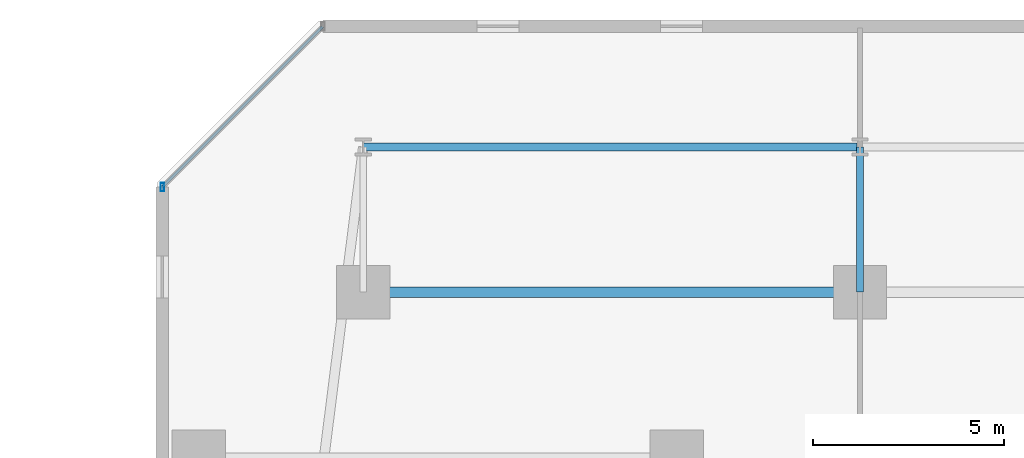
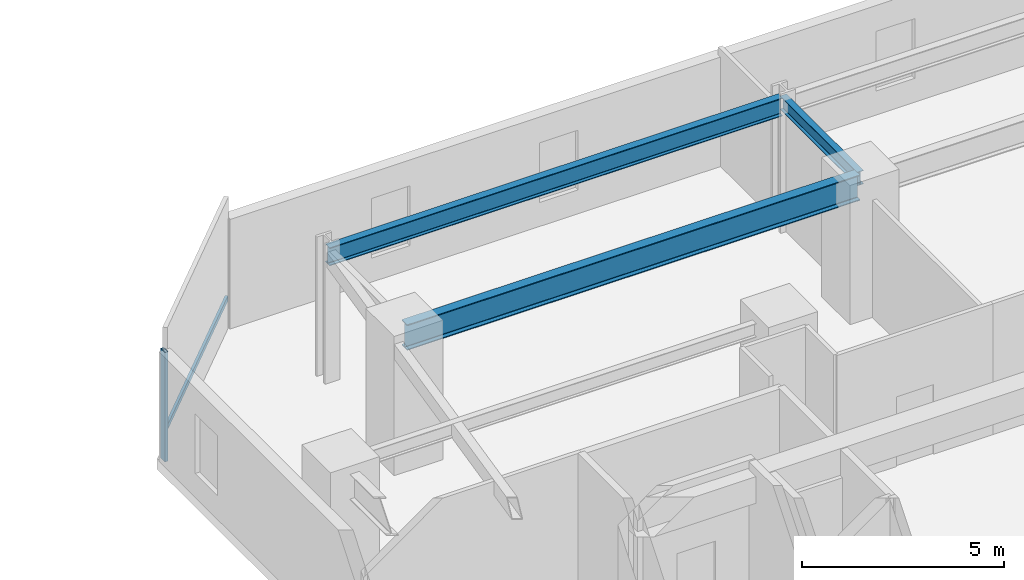
# One storey, part 14 of 33: 3 beams, 2 members, 1 element without a shape of its own.
"""IFC4 building model written with IfcOpenShell, lengths in metres."""

from ifc_helpers import new_model, si_unit, direction, frame, origin, origin_2d, place, context, subcontext, project, spatial, hollow_rectangle, i_section, extrude, material, material_profile, profile_set, type_object, element, aggregate, save


model = new_model("IFC4")

# Units and contexts
model_context = context("Model", 3, precision=1e-05, world=origin(), true_north=direction((0.0, 1.0)))
body_context = subcontext(model_context, "Body", "Model", "MODEL_VIEW")
ifc_project = project(units=[si_unit("LENGTHUNIT", "METRE"), si_unit("AREAUNIT", "SQUARE_METRE"), si_unit("VOLUMEUNIT", "CUBIC_METRE"), si_unit("PLANEANGLEUNIT", "RADIAN"), si_unit("MASSUNIT", "GRAM", prefix="KILO")], contexts=[model_context])

# Site, building, storey
site_placement = place(None, origin())
site = spatial("IfcSite", under=ifc_project, at=site_placement, CompositionType="ELEMENT")
building_placement = place(site_placement, origin())
building = spatial("IfcBuilding", under=site, at=building_placement, Name="Thornwick Lancets Civic Towers", CompositionType="ELEMENT")
storey_placement = place(building_placement, frame((0.0, 0.0, 49.5)))
storey = spatial("IfcBuildingStorey", under=building, at=storey_placement, Name="L12", CompositionType="ELEMENT", Elevation=49.5)

# Beams
ifc_material_1 = material(Name="Steel S355JR", Category="steel")
ifc_material_profile_1 = material_profile(ifc_material_1, i_section(OverallWidth=0.2119140625, OverallDepth=0.54443359375, WebThickness=0.0126953125, FlangeThickness=0.021240234375, FilletRadius=0.0126953125, at=origin_2d()), Name="UKB 533x210x122")
ifc_profile_set_1 = profile_set([ifc_material_profile_1], Name="Steel S355JR")
beam_type_1 = type_object("IfcBeamType", Name="BM_EDGE_533_122", PredefinedType="SPANDREL", material=ifc_profile_set_1)
beam_1_placement = place(storey_placement, frame((88.419921875, 48.10009765625, 3.687744140625), z_axis=(-1.0, 0.0, 0.0), x_axis=(0.0, -1.0, 0.0)))
element("IfcBeam", 1, at=beam_1_placement, inside=storey, type_object=beam_type_1, Name="BM-EDGE-L12-B-S1-2", PredefinedType="SPANDREL", context=body_context, shape_type="SweptSolid", body=[
    extrude(i_section(OverallWidth=0.2119140625, OverallDepth=0.54443359375, WebThickness=0.0126953125, FlangeThickness=0.021240234375, FilletRadius=0.0126953125, at=origin_2d()), origin(), (0.0, 0.0, 1.0), 12.919921875),
])
ifc_material_profile_2 = material_profile(ifc_material_1, i_section(OverallWidth=0.26806640625, OverallDepth=0.769775390625, WebThickness=0.015625, FlangeThickness=0.025390625, FilletRadius=0.0166015625, at=origin_2d()), Name="UKB 762x267x197")
ifc_profile_set_2 = profile_set([ifc_material_profile_2], Name="Steel S355JR")
beam_type_2 = type_object("IfcBeamType", Name="BM_GIRD_762_197", PredefinedType="BEAM", material=ifc_profile_set_2)
beam_2_placement = place(storey_placement, frame((88.419921875, 44.300048828125, 3.5751953125), z_axis=(-1.0, 0.0, 0.0), x_axis=(0.0, -1.0, 0.0)))
element("IfcBeam", 2, at=beam_2_placement, inside=storey, type_object=beam_type_2, Name="BM-SPINE-L12-B-4-5", PredefinedType="BEAM", context=body_context, shape_type="SweptSolid", body=[
    extrude(i_section(OverallWidth=0.26806640625, OverallDepth=0.769775390625, WebThickness=0.015625, FlangeThickness=0.025390625, FilletRadius=0.0166015625, at=origin_2d()), origin(), (0.0, 0.0, 1.0), 12.919921875),
])
ifc_material_profile_3 = material_profile(ifc_material_1, i_section(OverallWidth=0.179443359375, OverallDepth=0.412841796875, WebThickness=0.009521484375, FlangeThickness=0.01611328125, FilletRadius=0.01025390625, at=origin_2d()), Name="UKB 406x178x74")
ifc_profile_set_3 = profile_set([ifc_material_profile_3], Name="Steel S355JR")
beam_type_3 = type_object("IfcBeamType", Name="BM_JOIST_406_74", PredefinedType="JOIST", material=ifc_profile_set_3)
beam_3_placement = place(storey_placement, frame((88.5, 44.300048828125, 3.753662109375), z_axis=(0.0, 1.0, 0.0), x_axis=(-1.0, 0.0, 0.0)))
element("IfcBeam", 3, at=beam_3_placement, inside=storey, type_object=beam_type_3, Name="BM-RAD-L12-B05", PredefinedType="JOIST", context=body_context, shape_type="SweptSolid", body=[
    extrude(i_section(OverallWidth=0.179443359375, OverallDepth=0.412841796875, WebThickness=0.009521484375, FlangeThickness=0.01611328125, FilletRadius=0.01025390625, at=origin_2d()), origin(), (0.0, 0.0, 1.0), 3.800048828125),
])

# Curtain wall, members
ifc_material_2 = material(Name="Low-zone chamfered-corner unitised glass curtain wall", Category="glass")
curtain_wall_type = type_object("IfcCurtainWallType", Name="CW_SYS_03", PredefinedType="NOTDEFINED", material=ifc_material_2)
curtain_wall_placement = place(storey_placement, origin())
curtain_wall = element("IfcCurtainWall", 4, at=curtain_wall_placement, inside=storey, type_object=curtain_wall_type, Name="L12 Curtain Wall CW-L12-B-E5", PredefinedType="NOTDEFINED")
ifc_material_3 = material(Name="Thermally broken bronze aluminium S355", Category="steel")
ifc_material_profile_4 = material_profile(ifc_material_3, hollow_rectangle(XDim=0.090087890625, YDim=0.219970703125, WallThickness=0.00634765625, at=origin_2d()), Name="RHS 220x90x6.3")
ifc_profile_set_4 = profile_set([ifc_material_profile_4], Name="Thermally broken bronze aluminium S355")
member_type_1 = type_object("IfcMemberType", Name="CW_MUL_220", PredefinedType="MULLION", material=ifc_profile_set_4)
member_1_placement = place(storey_placement, frame((70.240478515625, 47.051513671875, 0.0), z_axis=(0.0, 0.0, 1.0), x_axis=(1.0, 0.0, 0.0)))
member_1 = element("IfcMember", 5, at=member_1_placement, type_object=member_type_1, Name="CW-L12-B-E5 Mullion 1", PredefinedType="MULLION", context=body_context, shape_type="SweptSolid", body=[
    extrude(hollow_rectangle(XDim=0.090087890625, YDim=0.219970703125, WallThickness=0.00634765625, at=origin_2d()), origin(), (0.0, 0.0, 1.0), 3.300048828125),
])
ifc_material_profile_5 = material_profile(ifc_material_3, hollow_rectangle(XDim=0.074951171875, YDim=0.14990234375, WallThickness=0.0048828125, at=origin_2d()), Name="RHS 150x75x5")
ifc_profile_set_5 = profile_set([ifc_material_profile_5], Name="Thermally broken bronze aluminium S355")
member_type_2 = type_object("IfcMemberType", Name="CW_TRN_150", PredefinedType="USERDEFINED", material=ifc_profile_set_5)
member_2_placement = place(storey_placement, frame((74.4345703125, 51.24560546875, 0.85009765625), z_axis=(-0.707106781187, -0.707106781187, 0.0), x_axis=(0.707106781187, -0.707106781187, 0.0)))
member_2 = element("IfcMember", 6, at=member_2_placement, type_object=member_type_2, Name="CW-L12-B-E5 Transom 0", ObjectType="TRANSOM", PredefinedType="USERDEFINED", context=body_context, shape_type="SweptSolid", body=[
    extrude(hollow_rectangle(XDim=0.074951171875, YDim=0.14990234375, WallThickness=0.0048828125, at=origin_2d()), origin(), (0.0, 0.0, 1.0), 5.91162109375),
])
aggregate(curtain_wall, [member_1, member_2])

save(model, "model.ifc")
